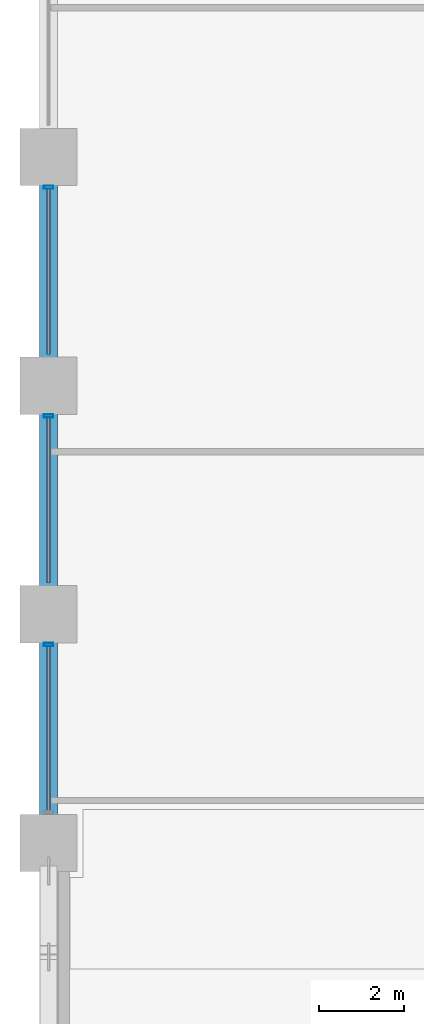
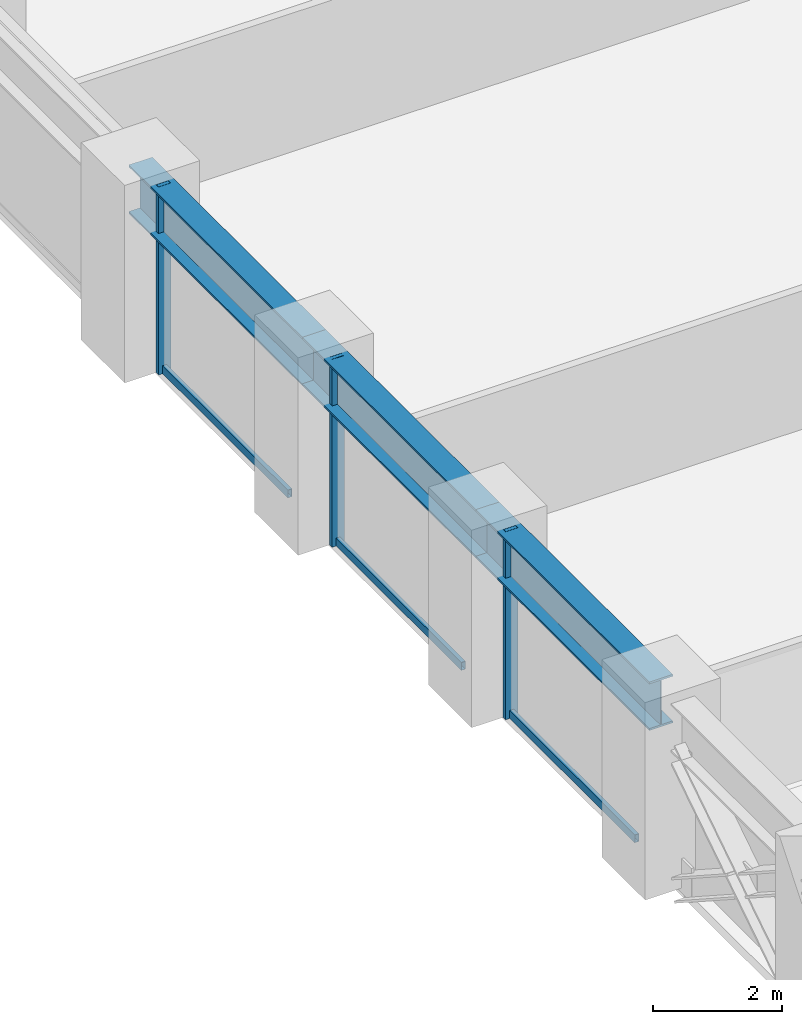
# One storey, part 6 of 25: 6 members, 3 beams, 1 element without a shape of its own.
"""IFC4 building model written with IfcOpenShell, lengths in metres."""

from ifc_helpers import new_model, si_unit, direction, frame, origin, origin_2d, place, context, subcontext, project, spatial, hollow_rectangle, i_section, extrude, material, layer, layer_set, material_profile, profile_set, type_object, element, aggregate, save


model = new_model("IFC4")

# Units and contexts
model_context = context("Model", 3, precision=1e-05, world=origin(), true_north=direction((0.0, 1.0)))
body_context = subcontext(model_context, "Body", "Model", "MODEL_VIEW")
ifc_project = project(units=[si_unit("LENGTHUNIT", "METRE"), si_unit("AREAUNIT", "SQUARE_METRE"), si_unit("VOLUMEUNIT", "CUBIC_METRE"), si_unit("PLANEANGLEUNIT", "RADIAN"), si_unit("MASSUNIT", "GRAM", prefix="KILO")], contexts=[model_context])

# Site, building, storey
site_placement = place(None, origin())
site = spatial("IfcSite", under=ifc_project, at=site_placement, CompositionType="ELEMENT")
building_placement = place(site_placement, origin())
building = spatial("IfcBuilding", under=site, at=building_placement, Name="Surkhivell Harbour Commons", CompositionType="ELEMENT")
storey_placement = place(building_placement, frame((0.0, 0.0, 52.5)))
storey = spatial("IfcBuildingStorey", under=building, at=storey_placement, Name="L13", CompositionType="ELEMENT", Elevation=52.5)

# Beams
ifc_material_1 = material(Name="Steel S460", Category="steel")
ifc_material_profile_1 = material_profile(ifc_material_1, i_section(OverallWidth=0.419921875, OverallDepth=0.9208984375, WebThickness=0.021484375, FlangeThickness=0.03662109375, at=origin_2d()), Name="UB914x419x388")
ifc_profile_set_1 = profile_set([ifc_material_profile_1], Name="Steel S460")
beam_type = type_object("IfcBeamType", Name="BM-SPN-914A", PredefinedType="SPANDREL", material=ifc_profile_set_1)
beam_placement = place(storey_placement, frame((-32.39990234375, -10.800048828125, 3.109619140625), z_axis=(0.0, 1.0, 0.0), x_axis=(-1.0, 0.0, 0.0)))
element("IfcBeam", 1, at=beam_placement, inside=storey, type_object=beam_type, Name="L13 Tube Spandrel (-32.4,-10.8)", PredefinedType="SPANDREL", context=body_context, shape_type="SweptSolid", body=[
    extrude(i_section(OverallWidth=0.419921875, OverallDepth=0.9208984375, WebThickness=0.021484375, FlangeThickness=0.03662109375, at=origin_2d()), origin(), (0.0, 0.0, 1.0), 5.400146484375),
])
for number, where, z_axis, x_axis, name in (
    (2, (-32.39990234375, -5.39990234375, 3.109619140625), (0.0, 1.0, 0.0), (-1.0, 0.0, 0.0), "L13 Tube Spandrel (-32.4,-5.4)"),
    (3, (-32.39990234375, 0.0, 3.109619140625), (0.0, 1.0, 0.0), (-1.0, 0.0, 0.0), "L13 Tube Spandrel (-32.4,0.0)"),
):
    element("IfcBeam", number, at=place(storey_placement, frame(where, z_axis=z_axis, x_axis=x_axis)), inside=storey, type_object=beam_type, Name=name, PredefinedType="SPANDREL", context=body_context, shape_type="SweptSolid", body=[
        extrude(i_section(OverallWidth=0.419921875, OverallDepth=0.9208984375, WebThickness=0.021484375, FlangeThickness=0.03662109375, at=origin_2d()), origin(), (0.0, 0.0, 1.0), 5.39990234375),
    ])

# Curtain wall, members
ifc_material_2 = material(Name="Anodised pale-metal aluminium and insulated glazing", Category="aluminium")
ifc_layer = layer(ifc_material_2, 0.219970703125)
ifc_layer_set = layer_set([ifc_layer], Name="Anodised pale-metal aluminium and insulated glazing")
curtain_wall_type = type_object("IfcCurtainWallType", Name="CW-SYS-Z1", PredefinedType="NOTDEFINED", material=ifc_layer_set)
curtain_wall_placement = place(storey_placement, origin())
curtain_wall = element("IfcCurtainWall", 4, at=curtain_wall_placement, inside=storey, type_object=curtain_wall_type, Name="L13 Curtain Wall CW-L13-E12S1", PredefinedType="NOTDEFINED")
ifc_material_3 = material(Name="Anodised pale-metal aluminium alloy 6063-T6", Category="aluminium")
ifc_material_profile_2 = material_profile(ifc_material_3, hollow_rectangle(XDim=0.074951171875, YDim=0.219970703125, WallThickness=0.00390625, at=origin_2d()), Name="ALU-MULL-75x220")
ifc_profile_set_2 = profile_set([ifc_material_profile_2], Name="Anodised pale-metal aluminium alloy 6063-T6")
member_type_1 = type_object("IfcMemberType", Name="CWM-220", PredefinedType="MULLION", material=ifc_profile_set_2)
member_1_placement = place(storey_placement, frame((-32.39990234375, 4.685546875, 0.0), z_axis=(0.0, 0.0, 1.0), x_axis=(0.0, -1.0, 0.0)))
member_1 = element("IfcMember", 5, at=member_1_placement, type_object=member_type_1, Name="CW-Z1 mullion 4", PredefinedType="MULLION", context=body_context, shape_type="SweptSolid", body=[
    extrude(hollow_rectangle(XDim=0.074951171875, YDim=0.219970703125, WallThickness=0.00390625, at=origin_2d()), origin(), (0.0, 0.0, 1.0), 3.570068359375),
])
member_2_placement = place(storey_placement, frame((-32.39990234375, -0.714599609375, 0.0), z_axis=(0.0, 0.0, 1.0), x_axis=(0.0, -1.0, 0.0)))
member_2 = element("IfcMember", 6, at=member_2_placement, type_object=member_type_1, Name="CW-Z1 mullion 5", PredefinedType="MULLION", context=body_context, shape_type="SweptSolid", body=[
    extrude(hollow_rectangle(XDim=0.074951171875, YDim=0.219970703125, WallThickness=0.00390625, at=origin_2d()), origin(), (0.0, 0.0, 1.0), 3.570068359375),
])
member_3_placement = place(storey_placement, frame((-32.39990234375, -6.114501953125, 0.0), z_axis=(0.0, 0.0, 1.0), x_axis=(0.0, -1.0, 0.0)))
member_3 = element("IfcMember", 7, at=member_3_placement, type_object=member_type_1, Name="CW-Z1 mullion 6", PredefinedType="MULLION", context=body_context, shape_type="SweptSolid", body=[
    extrude(hollow_rectangle(XDim=0.074951171875, YDim=0.219970703125, WallThickness=0.00390625, at=origin_2d()), origin(), (0.0, 0.0, 1.0), 3.570068359375),
])
ifc_material_profile_3 = material_profile(ifc_material_3, hollow_rectangle(XDim=0.074951171875, YDim=0.14990234375, WallThickness=0.00341796875, at=origin_2d()), Name="ALU-TRAN-75x150")
ifc_profile_set_3 = profile_set([ifc_material_profile_3], Name="Anodised pale-metal aluminium alloy 6063-T6")
member_type_2 = type_object("IfcMemberType", Name="CWT-150", PredefinedType="USERDEFINED", material=ifc_profile_set_3)
member_4_placement = place(storey_placement, frame((-32.39990234375, 4.64794921875, 0.074951171875), z_axis=(0.0, -1.0, 0.0), x_axis=(1.0, 0.0, 0.0)))
member_4 = element("IfcMember", 8, at=member_4_placement, type_object=member_type_2, Name="CW-Z1 transom 4.1", ObjectType="TRANSOM", PredefinedType="USERDEFINED", context=body_context, shape_type="SweptSolid", body=[
    extrude(hollow_rectangle(XDim=0.074951171875, YDim=0.14990234375, WallThickness=0.00341796875, at=origin_2d()), origin(), (0.0, 0.0, 1.0), 3.89599609375),
])
member_5_placement = place(storey_placement, frame((-32.39990234375, -0.751953125, 0.074951171875), z_axis=(0.0, -1.0, 0.0), x_axis=(1.0, 0.0, 0.0)))
member_5 = element("IfcMember", 9, at=member_5_placement, type_object=member_type_2, Name="CW-Z1 transom 5.1", ObjectType="TRANSOM", PredefinedType="USERDEFINED", context=body_context, shape_type="SweptSolid", body=[
    extrude(hollow_rectangle(XDim=0.074951171875, YDim=0.14990234375, WallThickness=0.00341796875, at=origin_2d()), origin(), (0.0, 0.0, 1.0), 3.89599609375),
])
member_6_placement = place(storey_placement, frame((-32.39990234375, -6.152099609375, 0.074951171875), z_axis=(0.0, -1.0, 0.0), x_axis=(1.0, 0.0, 0.0)))
member_6 = element("IfcMember", 10, at=member_6_placement, type_object=member_type_2, Name="CW-Z1 transom 6.1", ObjectType="TRANSOM", PredefinedType="USERDEFINED", context=body_context, shape_type="SweptSolid", body=[
    extrude(hollow_rectangle(XDim=0.074951171875, YDim=0.14990234375, WallThickness=0.00341796875, at=origin_2d()), origin(), (0.0, 0.0, 1.0), 3.89599609375),
])
aggregate(curtain_wall, [member_1, member_4, member_2, member_5, member_3, member_6])

save(model, "model.ifc")
